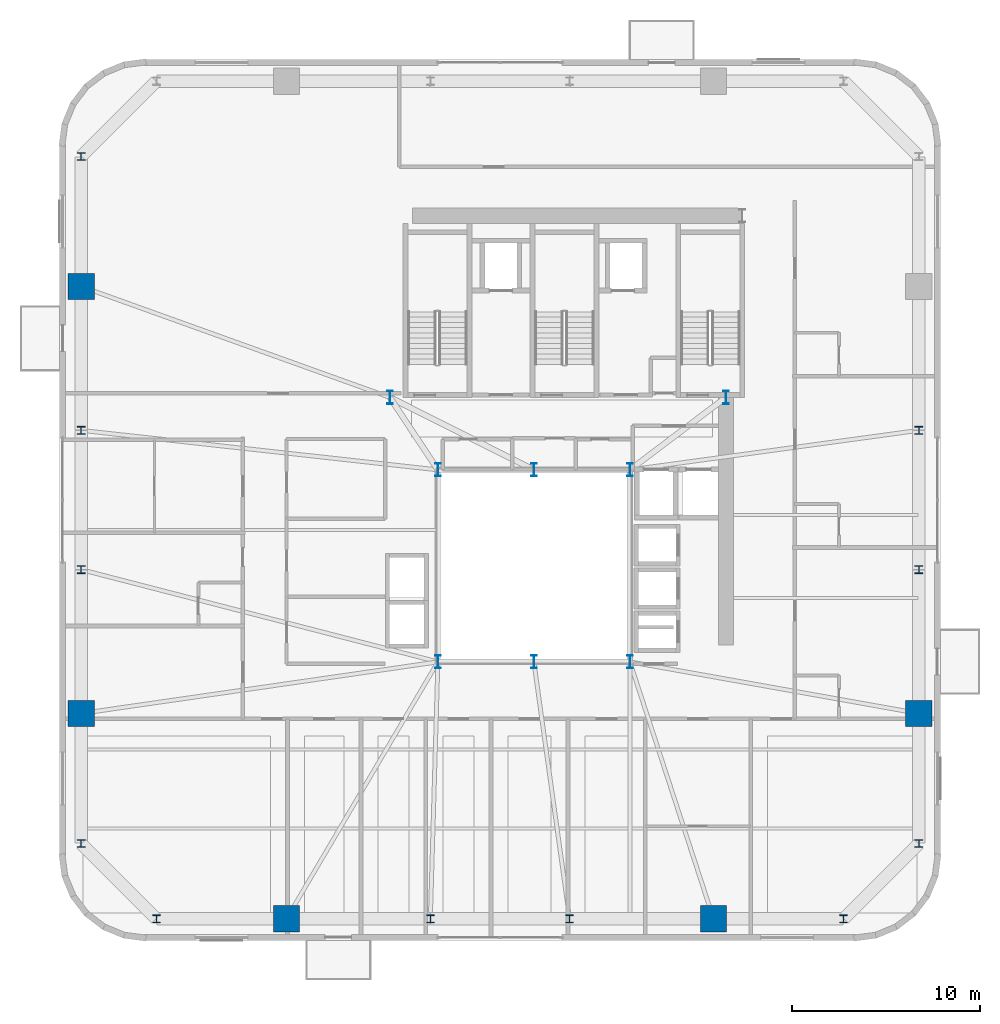
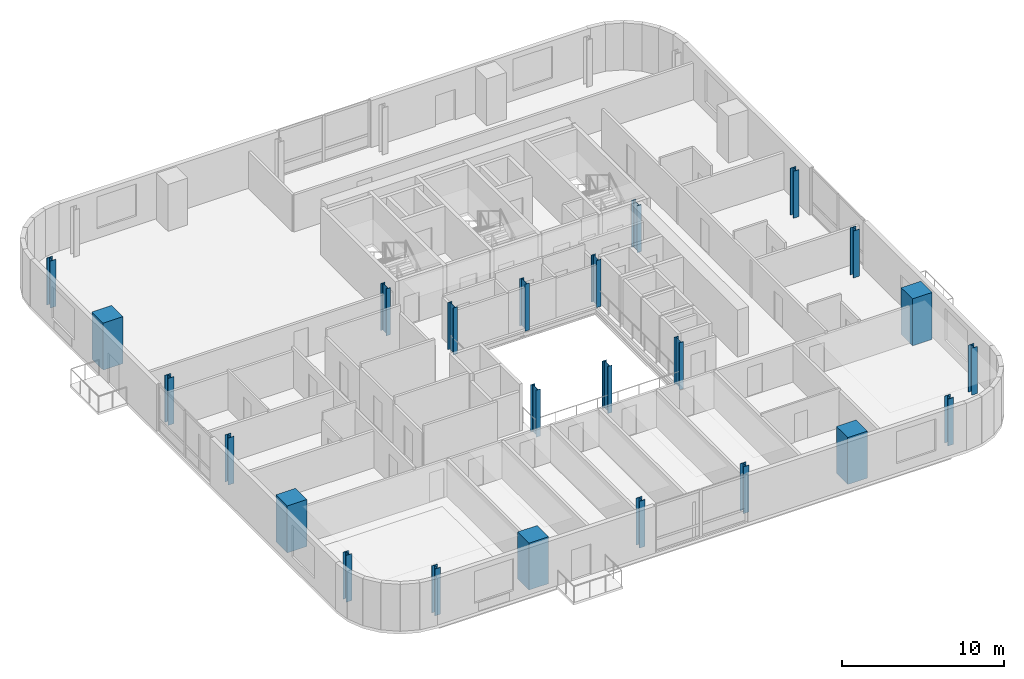
# One storey, part 1 of 17: 24 columns.
"""IFC4 building model written with IfcOpenShell, lengths in metres."""

from ifc_helpers import new_model, si_unit, direction, frame, origin, origin_2d, place, context, subcontext, project, spatial, rectangle, i_section, extrude, source, transform, mapped, material, material_profile, profile_set, type_object, element, save


model = new_model("IFC4")

# Units and contexts
model_context = context("Model", 3, precision=1e-05, world=origin(), true_north=direction((0.0, 1.0)))
body_context = subcontext(model_context, "Body", "Model", "MODEL_VIEW")
ifc_project = project(units=[si_unit("LENGTHUNIT", "METRE"), si_unit("AREAUNIT", "SQUARE_METRE"), si_unit("VOLUMEUNIT", "CUBIC_METRE"), si_unit("PLANEANGLEUNIT", "RADIAN"), si_unit("MASSUNIT", "GRAM", prefix="KILO")], contexts=[model_context])

# Site, building, storey
site_placement = place(None, origin())
site = spatial("IfcSite", under=ifc_project, at=site_placement, CompositionType="ELEMENT")
building_placement = place(site_placement, origin())
building = spatial("IfcBuilding", under=site, at=building_placement, Name="Vardaveli Station Tower", CompositionType="ELEMENT")
storey_placement = place(building_placement, frame((0.0, 0.0, 218.550048828125)))
storey = spatial("IfcBuildingStorey", under=building, at=storey_placement, Name="L56", CompositionType="ELEMENT", Elevation=218.550048828125)

# Columns
ifc_material_1 = material(Name="Structural steel S460M", Category="steel")
ifc_material_profile_1 = material_profile(ifc_material_1, i_section(OverallWidth=0.300048828125, OverallDepth=0.699951171875, WebThickness=0.01708984375, FlangeThickness=0.031982421875, FilletRadius=0.027099609375, at=origin_2d()), Name="HEB 700")
ifc_profile_set_1 = profile_set([ifc_material_profile_1], Name="Structural steel S460M")
column_type_1 = type_object("IfcColumnType", Name="COL-HEB700", PredefinedType="COLUMN", material=ifc_profile_set_1)
shared_shape_1 = source(origin(), body_context, "Body", "SweptSolid", [
    extrude(i_section(OverallWidth=0.300048828125, OverallDepth=0.699951171875, WebThickness=0.01708984375, FlangeThickness=0.031982421875, FilletRadius=0.027099609375, at=origin_2d()), origin(), (0.0, 0.0, 1.0), 3.530029296875),
])
for number, where, z_axis, x_axis, name in (
    (1, (31.199951171875, 16.60009765625, 0.0), (0.0, 0.0, 1.0), (1.0, 0.0, 0.0), "COL-L56-AC1"),
    (2, (36.300048828125, 16.60009765625, 0.0), (0.0, 0.0, 1.0), (1.0, 0.0, 0.0), "COL-L56-AC2"),
    (3, (41.39990234375, 16.60009765625, 0.0), (0.0, 0.0, 1.0), (1.0, 0.0, 0.0), "COL-L56-AC3"),
    (4, (41.39990234375, 26.800048828125, 0.0), (0.0, 0.0, 1.0), (1.0, 0.0, 0.0), "COL-L56-AC4"),
    (5, (36.300048828125, 26.800048828125, 0.0), (0.0, 0.0, 1.0), (1.0, 0.0, 0.0), "COL-L56-AC5"),
    (6, (31.199951171875, 26.800048828125, 0.0), (0.0, 0.0, 1.0), (1.0, 0.0, 0.0), "COL-L56-AC6"),
    (7, (28.64990234375, 30.64990234375, 0.0), (0.0, 0.0, 1.0), (1.0, 0.0, 0.0), "COL-L56-CC1"),
    (8, (46.5, 30.64990234375, 0.0), (0.0, 0.0, 1.0), (1.0, 0.0, 0.0), "COL-L56-CC2"),
):
    element("IfcColumn", number, at=place(storey_placement, frame(where, z_axis=z_axis, x_axis=x_axis)), inside=storey, type_object=column_type_1, Name=name, PredefinedType="COLUMN", context=body_context, shape_type="MappedRepresentation", body=[
        mapped(shared_shape_1, transform((0.0, 0.0, 0.0), scale=1.0)),
    ])
ifc_material_2 = material(Name="Concrete C50/60", Category="concrete")
ifc_material_profile_2 = material_profile(ifc_material_2, rectangle(XDim=1.39990234375, YDim=1.39990234375, at=origin_2d()), Name="MC 1400x1400")
ifc_profile_set_2 = profile_set([ifc_material_profile_2], Name="Concrete C50/60")
column_type_2 = type_object("IfcColumnType", Name="COL-MC-1400", PredefinedType="COLUMN", material=ifc_profile_set_2)
shared_shape_2 = source(origin(), body_context, "Body", "SweptSolid", [
    extrude(rectangle(XDim=1.39990234375, YDim=1.39990234375, at=origin_2d()), origin(), (0.0, 0.0, 1.0), 3.530029296875),
])
for number, where, z_axis, x_axis, name in (
    (9, (23.159912109375, 2.949951171875, 0.0), (0.0, 0.0, 1.0), (1.0, 0.0, 0.0), "COL-L56-MC1"),
    (10, (45.840087890625, 2.949951171875, 0.0), (0.0, 0.0, 1.0), (1.0, 0.0, 0.0), "COL-L56-MC2"),
    (11, (56.75, 13.860107421875, 0.0), (0.0, 0.0, 1.0), (1.0, 0.0, 0.0), "COL-L56-MC3"),
    (12, (12.25, 36.5400390625, 0.0), (0.0, 0.0, 1.0), (1.0, 0.0, 0.0), "COL-L56-MC7"),
    (13, (12.25, 13.860107421875, 0.0), (0.0, 0.0, 1.0), (1.0, 0.0, 0.0), "COL-L56-MC8"),
):
    element("IfcColumn", number, at=place(storey_placement, frame(where, z_axis=z_axis, x_axis=x_axis)), inside=storey, type_object=column_type_2, Name=name, PredefinedType="COLUMN", context=body_context, shape_type="MappedRepresentation", body=[
        mapped(shared_shape_2, transform((0.0, 0.0, 0.0), scale=1.0)),
    ])
ifc_material_profile_3 = material_profile(ifc_material_1, i_section(OverallWidth=0.408935546875, OverallDepth=0.4169921875, WebThickness=0.021240234375, FlangeThickness=0.033203125, FilletRadius=0.014892578125, at=origin_2d()), Name="HD 400x347")
ifc_profile_set_3 = profile_set([ifc_material_profile_3], Name="Structural steel S460M")
column_type_3 = type_object("IfcColumnType", Name="COL-HD347", PredefinedType="COLUMN", material=ifc_profile_set_3)
shared_shape_3 = source(origin(), body_context, "Body", "SweptSolid", [
    extrude(i_section(OverallWidth=0.408935546875, OverallDepth=0.4169921875, WebThickness=0.021240234375, FlangeThickness=0.033203125, FilletRadius=0.014892578125, at=origin_2d()), origin(), (0.0, 0.0, 1.0), 3.530029296875),
])
for number, where, z_axis, x_axis, name in (
    (14, (16.25, 2.949951171875, 0.0), (0.0, 0.0, 1.0), (1.0, 0.0, 0.0), "COL-L56-PC01"),
    (15, (30.800048828125, 2.949951171875, 0.0), (0.0, 0.0, 1.0), (1.0, 0.0, 0.0), "COL-L56-PC02"),
    (16, (38.199951171875, 2.949951171875, 0.0), (0.0, 0.0, 1.0), (1.0, 0.0, 0.0), "COL-L56-PC03"),
    (17, (52.75, 2.949951171875, 0.0), (0.0, 0.0, 1.0), (1.0, 0.0, 0.0), "COL-L56-PC04"),
    (18, (56.75, 6.949951171875, 0.0), (0.0, 0.0, 1.0), (1.0, 0.0, 0.0), "COL-L56-PC05"),
    (19, (56.75, 21.5, 0.0), (0.0, 0.0, 1.0), (1.0, 0.0, 0.0), "COL-L56-PC06"),
    (20, (56.75, 28.89990234375, 0.0), (0.0, 0.0, 1.0), (1.0, 0.0, 0.0), "COL-L56-PC07"),
    (21, (12.25, 43.449951171875, 0.0), (0.0, 0.0, 1.0), (1.0, 0.0, 0.0), "COL-L56-PC13"),
    (22, (12.25, 28.89990234375, 0.0), (0.0, 0.0, 1.0), (1.0, 0.0, 0.0), "COL-L56-PC14"),
    (23, (12.25, 21.5, 0.0), (0.0, 0.0, 1.0), (1.0, 0.0, 0.0), "COL-L56-PC15"),
    (24, (12.25, 6.949951171875, 0.0), (0.0, 0.0, 1.0), (1.0, 0.0, 0.0), "COL-L56-PC16"),
):
    element("IfcColumn", number, at=place(storey_placement, frame(where, z_axis=z_axis, x_axis=x_axis)), inside=storey, type_object=column_type_3, Name=name, PredefinedType="COLUMN", context=body_context, shape_type="MappedRepresentation", body=[
        mapped(shared_shape_3, transform((0.0, 0.0, 0.0), scale=1.0)),
    ])

save(model, "model.ifc")
